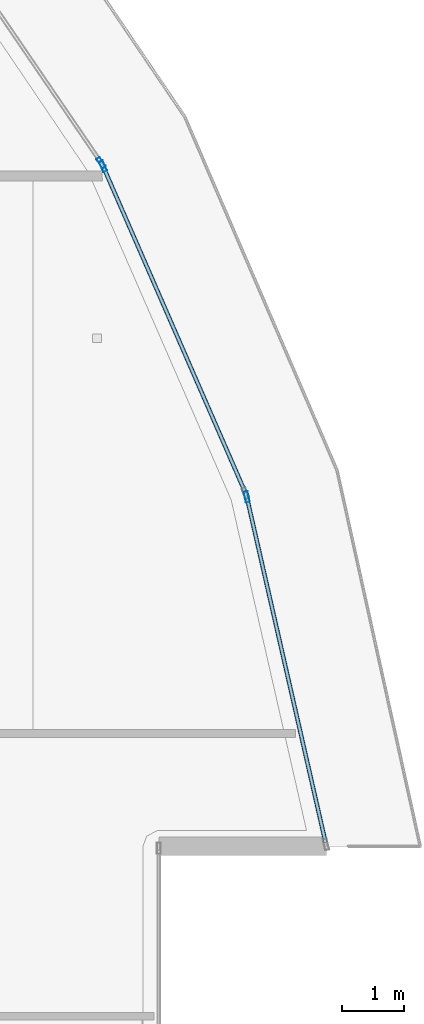
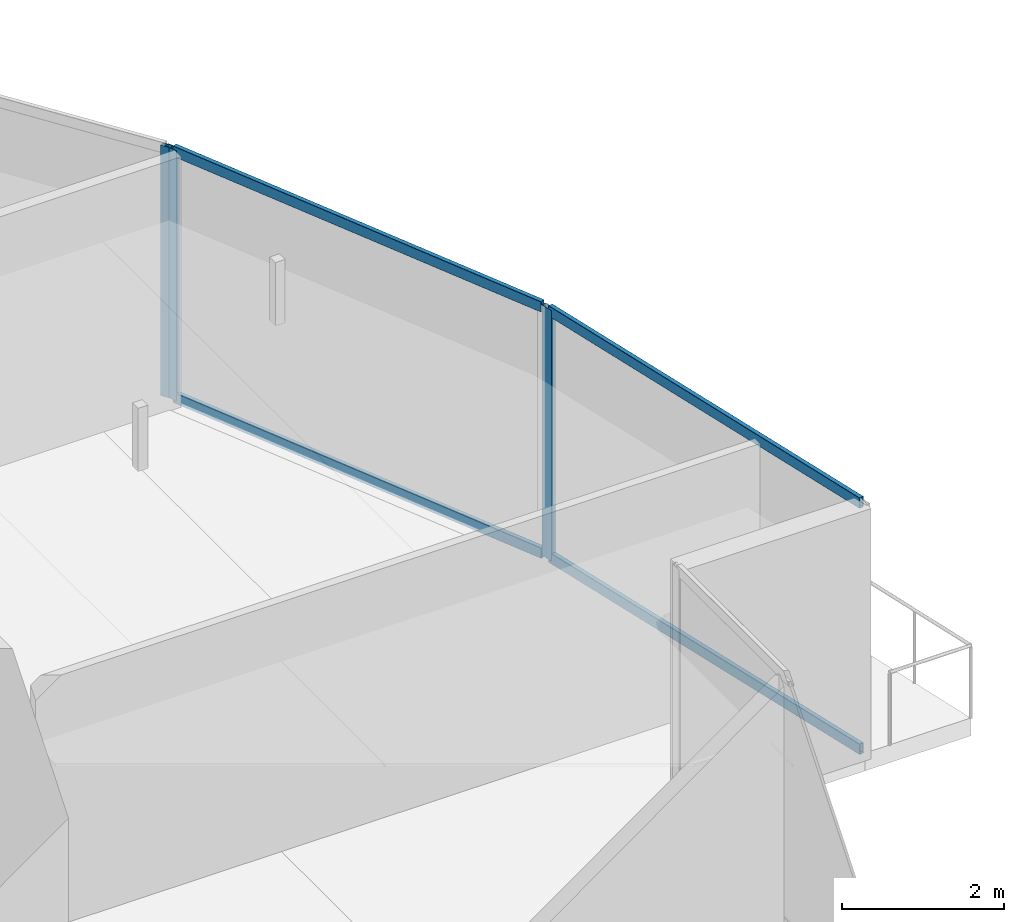
# One storey, part 20 of 36: 7 members, 3 elements without a shape of their own.
"""IFC4 building model written with IfcOpenShell, lengths in metres."""

from ifc_helpers import new_model, si_unit, direction, frame, origin, origin_2d, place, context, subcontext, project, spatial, hollow_rectangle, extrude, material, layer, layer_set, material_profile, profile_set, type_object, element, aggregate, save


model = new_model("IFC4")

# Units and contexts
model_context = context("Model", 3, precision=1e-05, world=origin(), true_north=direction((0.0, 1.0)))
body_context = subcontext(model_context, "Body", "Model", "MODEL_VIEW")
ifc_project = project(units=[si_unit("LENGTHUNIT", "METRE"), si_unit("AREAUNIT", "SQUARE_METRE"), si_unit("VOLUMEUNIT", "CUBIC_METRE"), si_unit("PLANEANGLEUNIT", "RADIAN"), si_unit("MASSUNIT", "GRAM", prefix="KILO")], contexts=[model_context])

# Site, building, storey
site_placement = place(None, origin())
site = spatial("IfcSite", under=ifc_project, at=site_placement, CompositionType="ELEMENT")
building_placement = place(site_placement, origin())
building = spatial("IfcBuilding", under=site, at=building_placement, Name="Qorvath Tower", CompositionType="ELEMENT")
storey_placement = place(building_placement, frame((0.0, 0.0, 241.5)))
storey = spatial("IfcBuildingStorey", under=building, at=storey_placement, Name="L56", CompositionType="ELEMENT", Elevation=241.5)

# Curtain wall, member
ifc_material_1 = material(Name="Anodised aluminium and triple low-E glass", Category="aluminium")
ifc_layer = layer(ifc_material_1, 0.179931640625)
ifc_layer_set = layer_set([ifc_layer], Name="CW-SYS-3")
curtain_wall_type = type_object("IfcCurtainWallType", Name="CW-SYS-3", PredefinedType="NOTDEFINED", material=ifc_layer_set)
curtain_wall_1_placement = place(storey_placement, origin())
curtain_wall_1 = element("IfcCurtainWall", 1, at=curtain_wall_1_placement, inside=storey, type_object=curtain_wall_type, Name="Curtain Wall CW-3 CW-T-L56-11.1", PredefinedType="NOTDEFINED")
ifc_material_2 = material(Name="Anodised aluminium 6063-T6", Category="aluminium")
ifc_material_profile_1 = material_profile(ifc_material_2, hollow_rectangle(XDim=0.06494140625, YDim=0.179931640625, WallThickness=0.00341796875, InnerFilletRadius=0.00341796875, OuterFilletRadius=0.007080078125, at=origin_2d()), Name="CWM 180x65")
ifc_profile_set_1 = profile_set([ifc_material_profile_1], Name="Anodised aluminium 6063-T6")
member_type_1 = type_object("IfcMemberType", Name="CWM-180", PredefinedType="MULLION", material=ifc_profile_set_1)
member_1_placement = place(storey_placement, frame((-1.6552734375, 9.64208984375, 0.0), z_axis=(0.0, 0.0, 1.0), x_axis=(-0.97499971703, -0.222206102058, 0.0)))
member_1 = element("IfcMember", 2, at=member_1_placement, type_object=member_type_1, Name="CW-3 mullion 2", PredefinedType="MULLION", context=body_context, shape_type="SweptSolid", body=[
    extrude(hollow_rectangle(XDim=0.06494140625, YDim=0.179931640625, WallThickness=0.00341796875, InnerFilletRadius=0.00341796875, OuterFilletRadius=0.007080078125, at=origin_2d()), origin(), (0.0, 0.0, 1.0), 3.780029296875),
])

curtain_wall_2_placement = place(storey_placement, origin())
curtain_wall_2 = element("IfcCurtainWall", 3, at=curtain_wall_2_placement, inside=storey, type_object=curtain_wall_type, Name="Curtain Wall CW-3 CW-T-L56-12.1", PredefinedType="NOTDEFINED")
member_2_placement = place(storey_placement, frame((-3.9609375, 14.947021484375, 0.0), z_axis=(0.0, 0.0, 1.0), x_axis=(-0.916700023631, -0.399576108738, 0.0)))
member_2 = element("IfcMember", 4, at=member_2_placement, type_object=member_type_1, Name="CW-3 mullion 2", PredefinedType="MULLION", context=body_context, shape_type="SweptSolid", body=[
    extrude(hollow_rectangle(XDim=0.06494140625, YDim=0.179931640625, WallThickness=0.00341796875, InnerFilletRadius=0.00341796875, OuterFilletRadius=0.007080078125, at=origin_2d()), origin(), (0.0, 0.0, 1.0), 3.780029296875),
])

curtain_wall_3_placement = place(storey_placement, origin())
curtain_wall_3 = element("IfcCurtainWall", 5, at=curtain_wall_3_placement, inside=storey, type_object=curtain_wall_type, Name="Curtain Wall CW-3 CW-T-L56-13.1", PredefinedType="NOTDEFINED")
member_3_placement = place(storey_placement, frame((-3.9921875, 15.003662109375, 0.0), z_axis=(0.0, 0.0, 1.0), x_axis=(-0.826431361544, -0.563037480685, 0.0)))
member_3 = element("IfcMember", 6, at=member_3_placement, type_object=member_type_1, Name="CW-3 mullion 1", PredefinedType="MULLION", context=body_context, shape_type="SweptSolid", body=[
    extrude(hollow_rectangle(XDim=0.06494140625, YDim=0.179931640625, WallThickness=0.00341796875, InnerFilletRadius=0.00341796875, OuterFilletRadius=0.007080078125, at=origin_2d()), origin(), (0.0, 0.0, 1.0), 3.780029296875),
])
aggregate(curtain_wall_3, [member_3])

# Member
ifc_material_3 = material(Name="Anodised aluminium 6063-T6", Category="aluminium")
ifc_material_profile_2 = material_profile(ifc_material_3, hollow_rectangle(XDim=0.06494140625, YDim=0.159912109375, WallThickness=0.00341796875, InnerFilletRadius=0.00341796875, OuterFilletRadius=0.007080078125, at=origin_2d()), Name="CWT 160x65")
ifc_profile_set_2 = profile_set([ifc_material_profile_2], Name="Anodised aluminium 6063-T6")
member_type_2 = type_object("IfcMemberType", Name="CWT-160", PredefinedType="USERDEFINED", material=ifc_profile_set_2)
member_4_placement = place(storey_placement, frame((-0.391357421875, 4.09716796875, 0.032470703125), z_axis=(-0.222225691425, 0.974995252332, 0.0), x_axis=(-0.974995252332, -0.222225691425, 0.0)))
member_4 = element("IfcMember", 7, at=member_4_placement, type_object=member_type_2, Name="CW-3 transom 1.1", ObjectType="TRANSOM", PredefinedType="USERDEFINED", context=body_context, shape_type="SweptSolid", body=[
    extrude(hollow_rectangle(XDim=0.06494140625, YDim=0.159912109375, WallThickness=0.00341796875, InnerFilletRadius=0.00341796875, OuterFilletRadius=0.007080078125, at=origin_2d()), origin(), (0.0, 0.0, 1.0), 5.654541015625),
])

member_5_placement = place(storey_placement, frame((-0.391357421875, 4.09716796875, 3.74755859375), z_axis=(-0.222225691425, 0.974995252332, 0.0), x_axis=(-0.974995252332, -0.222225691425, 0.0)))
member_5 = element("IfcMember", 8, at=member_5_placement, type_object=member_type_2, Name="CW-3 transom 1.2", ObjectType="TRANSOM", PredefinedType="USERDEFINED", context=body_context, shape_type="SweptSolid", body=[
    extrude(hollow_rectangle(XDim=0.06494140625, YDim=0.159912109375, WallThickness=0.00341796875, InnerFilletRadius=0.00341796875, OuterFilletRadius=0.007080078125, at=origin_2d()), origin(), (0.0, 0.0, 1.0), 5.654541015625),
])

aggregate(curtain_wall_1, [member_1, member_4, member_5])

member_6_placement = place(storey_placement, frame((-1.6884765625, 9.7333984375, 0.032470703125), z_axis=(-0.399570536345, 0.916702452536, 0.0), x_axis=(-0.916702452536, -0.399570536345, 0.0)))
member_6 = element("IfcMember", 9, at=member_6_placement, type_object=member_type_2, Name="CW-3 transom 1.1", ObjectType="TRANSOM", PredefinedType="USERDEFINED", context=body_context, shape_type="SweptSolid", body=[
    extrude(hollow_rectangle(XDim=0.06494140625, YDim=0.159912109375, WallThickness=0.00341796875, InnerFilletRadius=0.00341796875, OuterFilletRadius=0.007080078125, at=origin_2d()), origin(), (0.0, 0.0, 1.0), 5.65478515625),
])

member_7_placement = place(storey_placement, frame((-1.6884765625, 9.7333984375, 3.74755859375), z_axis=(-0.399570536345, 0.916702452536, 0.0), x_axis=(-0.916702452536, -0.399570536345, 0.0)))
member_7 = element("IfcMember", 10, at=member_7_placement, type_object=member_type_2, Name="CW-3 transom 1.2", ObjectType="TRANSOM", PredefinedType="USERDEFINED", context=body_context, shape_type="SweptSolid", body=[
    extrude(hollow_rectangle(XDim=0.06494140625, YDim=0.159912109375, WallThickness=0.00341796875, InnerFilletRadius=0.00341796875, OuterFilletRadius=0.007080078125, at=origin_2d()), origin(), (0.0, 0.0, 1.0), 5.65478515625),
])

aggregate(curtain_wall_2, [member_2, member_6, member_7])

save(model, "model.ifc")
